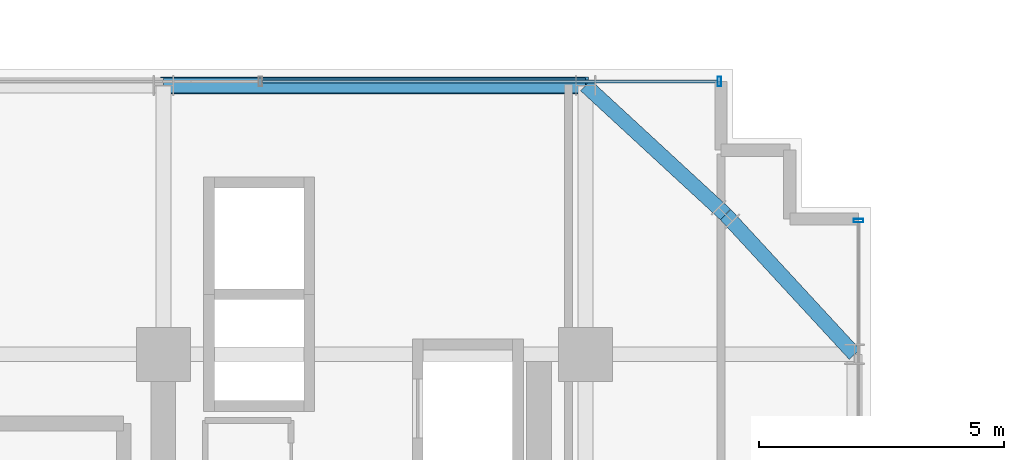
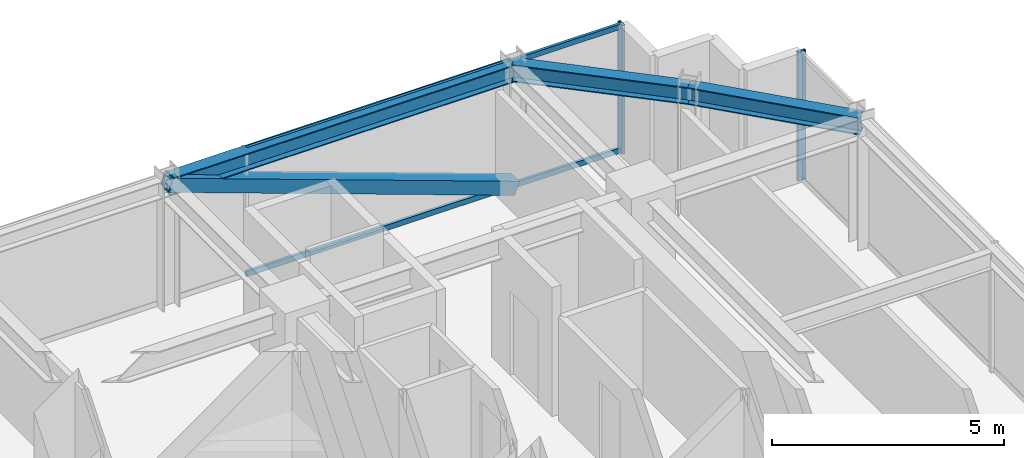
# One storey, part 27 of 36: 5 members, 3 beams, 2 elements without a shape of their own.
"""IFC4 building model written with IfcOpenShell, lengths in metres."""

from ifc_helpers import new_model, si_unit, direction, frame, origin, origin_2d, place, context, subcontext, project, spatial, hollow_rectangle, i_section, extrude, source, transform, mapped, material, material_profile, profile_set, type_object, element, aggregate, save


model = new_model("IFC4")

# Units and contexts
model_context = context("Model", 3, precision=1e-05, world=origin(), true_north=direction((0.0, 1.0)))
body_context = subcontext(model_context, "Body", "Model", "MODEL_VIEW")
ifc_project = project(units=[si_unit("LENGTHUNIT", "METRE"), si_unit("AREAUNIT", "SQUARE_METRE"), si_unit("VOLUMEUNIT", "CUBIC_METRE"), si_unit("PLANEANGLEUNIT", "RADIAN"), si_unit("MASSUNIT", "GRAM", prefix="KILO")], contexts=[model_context])

# Site, building, storey
site_placement = place(None, origin())
site = spatial("IfcSite", under=ifc_project, at=site_placement, CompositionType="ELEMENT")
building_placement = place(site_placement, origin())
building = spatial("IfcBuilding", under=site, at=building_placement, Name="Nahalor Promenade Grand Hotel", CompositionType="ELEMENT")
storey_placement = place(building_placement, frame((0.0, 0.0, 174.550048828125)))
storey = spatial("IfcBuildingStorey", under=building, at=storey_placement, Name="L44", CompositionType="ELEMENT", Elevation=174.550048828125)

# Beams
ifc_material_1 = material(Name="Steel S355JR", Category="steel")
ifc_material_profile_1 = material_profile(ifc_material_1, i_section(OverallWidth=0.3, OverallDepth=0.45, WebThickness=0.014, FlangeThickness=0.026, at=origin_2d()), Name="HEB 450")
ifc_profile_set_1 = profile_set([ifc_material_profile_1], Name="Steel S355JR")
beam_type = type_object("IfcBeamType", Name="Beam-Spandrel-HEB450", PredefinedType="SPANDREL", material=ifc_profile_set_1)
shared_shape_1 = source(origin(), body_context, "Body", "SweptSolid", [
    extrude(i_section(OverallWidth=0.3, OverallDepth=0.45, WebThickness=0.014, FlangeThickness=0.026, at=origin_2d()), origin(), (0.0, 0.0, 1.0), 8.60009765625),
])
beam_placement = place(storey_placement, frame((8.39990234375, 22.47998046875, 3.1650390625), z_axis=(1.0, 0.0, 0.0), x_axis=(0.0, 1.0, 0.0)))
element("IfcBeam", 1, at=beam_placement, inside=storey, type_object=beam_type, Name="BM-L44-SP-N-4", PredefinedType="SPANDREL", context=body_context, shape_type="MappedRepresentation", body=[
    mapped(shared_shape_1, transform((0.0, 0.0, 0.0), scale=1.0)),
])
shared_shape_2 = source(origin(), body_context, "Body", "SweptSolid", [
    extrude(i_section(OverallWidth=0.3, OverallDepth=0.45, WebThickness=0.014, FlangeThickness=0.026, at=origin_2d()), origin(), (0.0, 0.0, 1.0), 3.878173828125),
])
for number, where, z_axis, x_axis, name in (
    (2, (17.0, 22.47998046875, 3.1650390625), (0.73492893846, -0.678144125843, 0.0), (0.678144125843, 0.73492893846, 0.0), "BM-L44-SPC-NE-1"),
    (3, (19.85009765625, 19.85009765625, 3.1650390625), (0.678144125843, -0.73492893846, 0.0), (0.73492893846, 0.678144125843, 0.0), "BM-L44-SPC-NE-2"),
):
    element("IfcBeam", number, at=place(storey_placement, frame(where, z_axis=z_axis, x_axis=x_axis)), inside=storey, type_object=beam_type, Name=name, PredefinedType="SPANDREL", context=body_context, shape_type="MappedRepresentation", body=[
        mapped(shared_shape_2, transform((0.0, 0.0, 0.0), scale=1.0)),
    ])

# Member
ifc_material_profile_2 = material_profile(ifc_material_1, hollow_rectangle(XDim=0.35, YDim=0.35, WallThickness=0.02, at=origin_2d()), Name="SHS 350x350x20")
ifc_profile_set_2 = profile_set([ifc_material_profile_2], Name="Steel S355JR")
member_type_1 = type_object("IfcMemberType", Name="Mem-VoidBrace-SHS350", PredefinedType="BRACE", material=ifc_profile_set_2)
shared_shape_3 = source(origin(), body_context, "Body", "SweptSolid", [
    extrude(hollow_rectangle(XDim=0.35, YDim=0.35, WallThickness=0.02, at=origin_2d()), origin(), (0.0, 0.0, 1.0), 9.138427734375),
])
member_1_placement = place(storey_placement, frame((17.0, 22.47998046875, 0.14990234375), z_axis=(-0.941094643271, 0.0, 0.338143272012), x_axis=(0.0, -1.0, 0.0)))
element("IfcMember", 4, at=member_1_placement, inside=storey, type_object=member_type_1, Name="EXO-L44-N-1", PredefinedType="BRACE", context=body_context, shape_type="MappedRepresentation", body=[
    mapped(shared_shape_3, transform((0.0, 0.0, 0.0), scale=1.0)),
])

# Curtain wall, member
ifc_material_2 = material(Name="Anodised Bronze Aluminium EN AW-6063 T6", Category="aluminium")
curtain_wall_type = type_object("IfcCurtainWallType", Name="CW3 Elliptical-Void Collar Unitised Curtain Wall", PredefinedType="USERDEFINED", material=ifc_material_2)
curtain_wall_1_placement = place(storey_placement, origin())
curtain_wall_1 = element("IfcCurtainWall", 5, at=curtain_wall_1_placement, inside=storey, type_object=curtain_wall_type, Name="L44 Curtain Wall CW-L44-N-3", ObjectType="UNITISED_CURTAIN_WALL", PredefinedType="USERDEFINED")
ifc_material_profile_3 = material_profile(ifc_material_2, hollow_rectangle(XDim=0.07, YDim=0.2, WallThickness=0.005, at=origin_2d()), Name="CWM 70x200x5")
ifc_profile_set_3 = profile_set([ifc_material_profile_3], Name="Anodised Bronze Aluminium EN AW-6063 T6")
member_type_2 = type_object("IfcMemberType", Name="CWM3 Void Collar Mullion 70x200", PredefinedType="MULLION", material=ifc_profile_set_3)
shared_shape_4 = source(origin(), body_context, "Body", "SweptSolid", [
    extrude(hollow_rectangle(XDim=0.07, YDim=0.2, WallThickness=0.005, at=origin_2d()), origin(), (0.0, 0.0, 1.0), 3.389892578125),
])
member_2_placement = place(storey_placement, frame((19.72509765625, 22.56005859375, 0.0), z_axis=(0.0, 0.0, 1.0), x_axis=(1.0, 0.0, 0.0)))
member_2 = element("IfcMember", 6, at=member_2_placement, type_object=member_type_2, Name="CW-L44-N-3 Mullion 3", PredefinedType="MULLION", context=body_context, shape_type="MappedRepresentation", body=[
    mapped(shared_shape_4, transform((0.0, 0.0, 0.0), scale=1.0)),
])

curtain_wall_2_placement = place(storey_placement, origin())
curtain_wall_2 = element("IfcCurtainWall", 7, at=curtain_wall_2_placement, inside=storey, type_object=curtain_wall_type, Name="L44 Curtain Wall CW-L44-E-4", ObjectType="UNITISED_CURTAIN_WALL", PredefinedType="USERDEFINED")
member_3_placement = place(storey_placement, frame((22.56005859375, 19.72509765625, 0.0), z_axis=(0.0, 0.0, 1.0), x_axis=(0.0, 1.0, 0.0)))
member_3 = element("IfcMember", 8, at=member_3_placement, type_object=member_type_2, Name="CW-L44-E-4 Mullion 2", PredefinedType="MULLION", context=body_context, shape_type="MappedRepresentation", body=[
    mapped(shared_shape_4, transform((0.0, 0.0, 0.0), scale=1.0)),
])
aggregate(curtain_wall_2, [member_3])

# Member
ifc_material_profile_4 = material_profile(ifc_material_2, hollow_rectangle(XDim=0.07, YDim=0.14, WallThickness=0.004, at=origin_2d()), Name="CWT 70x140x4")
ifc_profile_set_4 = profile_set([ifc_material_profile_4], Name="Anodised Bronze Aluminium EN AW-6063 T6")
member_type_3 = type_object("IfcMemberType", Name="CWT3 Void Collar Transom 70x140", PredefinedType="USERDEFINED", material=ifc_profile_set_4)
shared_shape_5 = source(origin(), body_context, "Body", "SweptSolid", [
    extrude(hollow_rectangle(XDim=0.07, YDim=0.14, WallThickness=0.004, at=origin_2d()), origin(), (0.0, 0.0, 1.0), 9.281494140625),
])
member_4_placement = place(storey_placement, frame((10.408447265625, 22.56005859375, 0.070068359375), z_axis=(1.0, 0.0, 0.0), x_axis=(0.0, 1.0, 0.0)))
member_4 = element("IfcMember", 9, at=member_4_placement, type_object=member_type_3, Name="CW-L44-N-3 Transom 2-0", ObjectType="TRANSOM", PredefinedType="USERDEFINED", context=body_context, shape_type="MappedRepresentation", body=[
    mapped(shared_shape_5, transform((0.0, 0.0, 0.0), scale=1.0)),
])

member_5_placement = place(storey_placement, frame((10.408447265625, 22.56005859375, 3.320068359375), z_axis=(1.0, 0.0, 0.0), x_axis=(0.0, 1.0, 0.0)))
member_5 = element("IfcMember", 10, at=member_5_placement, type_object=member_type_3, Name="CW-L44-N-3 Transom 2-1", ObjectType="TRANSOM", PredefinedType="USERDEFINED", context=body_context, shape_type="MappedRepresentation", body=[
    mapped(shared_shape_5, transform((0.0, 0.0, 0.0), scale=1.0)),
])

aggregate(curtain_wall_1, [member_2, member_4, member_5])

save(model, "model.ifc")
